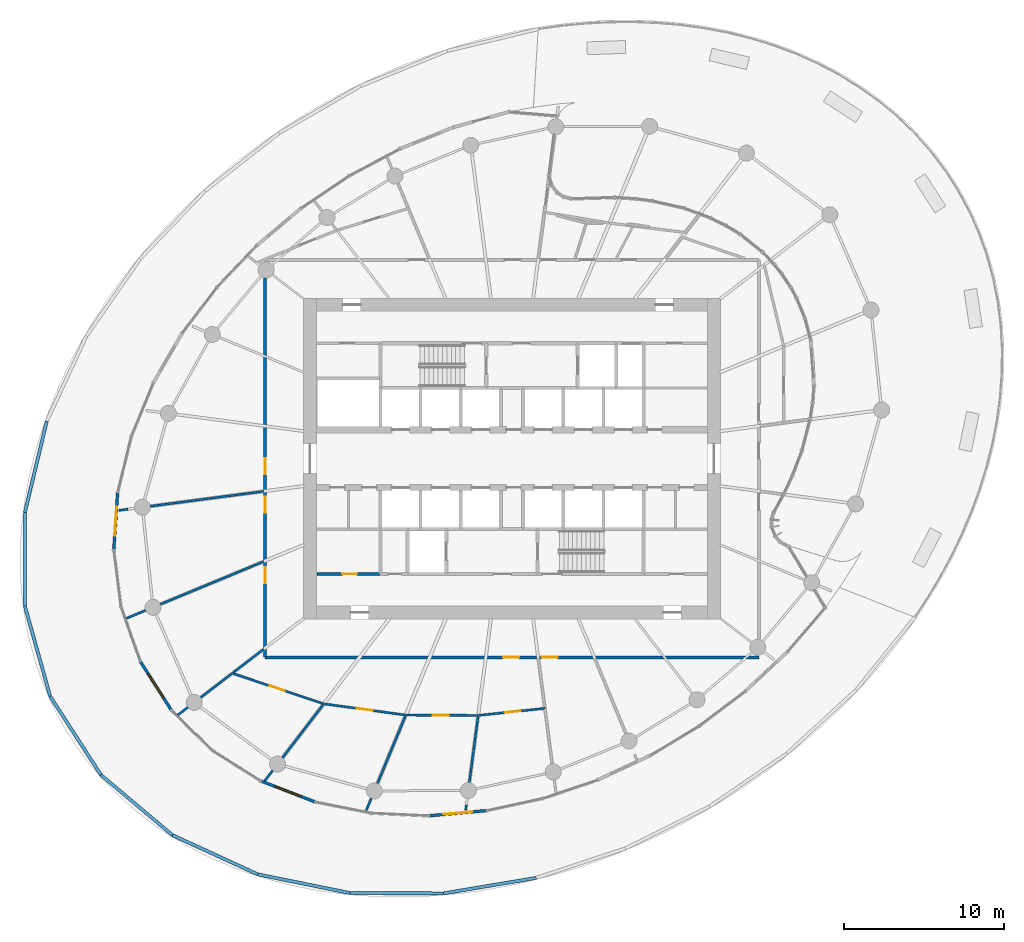
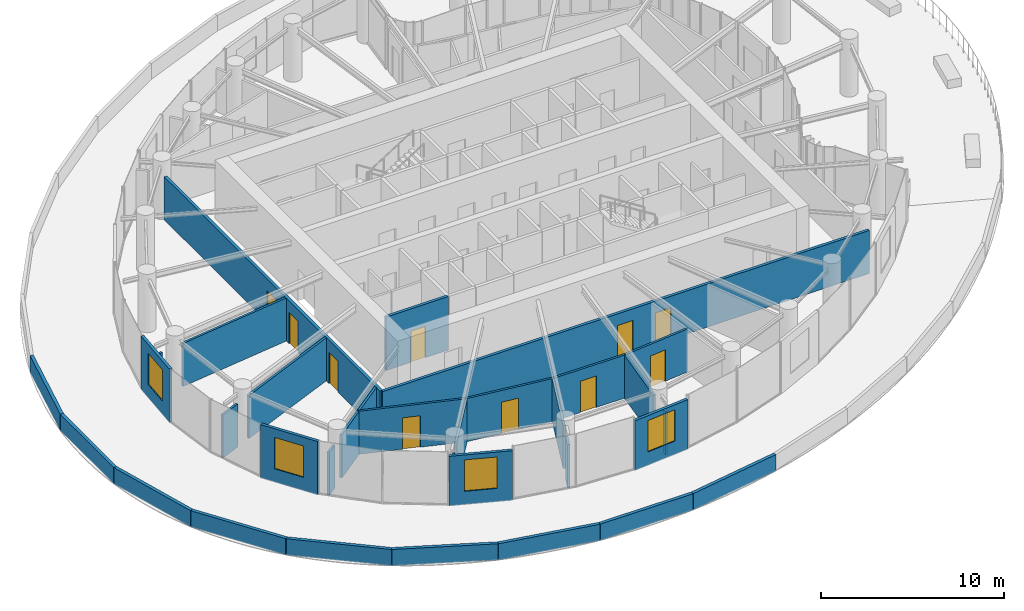
# One storey, part 12 of 21: 33 walls, 10 doors, 4 windows, 14 openings.
"""IFC4 building model written with IfcOpenShell, lengths in metres."""

from ifc_helpers import new_model, si_unit, direction, frame, frame_2d, origin, place, context, subcontext, project, spatial, rectangle, extrude, source, transform, mapped, material, layer, layer_set, type_object, element, fill, save


model = new_model("IFC4")

# Units and contexts
model_context = context("Model", 3, precision=1e-05, world=origin(), true_north=direction((0.0, 1.0)))
body_context = subcontext(model_context, "Body", "Model", "MODEL_VIEW")
ifc_project = project(units=[si_unit("LENGTHUNIT", "METRE"), si_unit("AREAUNIT", "SQUARE_METRE"), si_unit("VOLUMEUNIT", "CUBIC_METRE"), si_unit("PLANEANGLEUNIT", "RADIAN"), si_unit("MASSUNIT", "GRAM", prefix="KILO")], contexts=[model_context])

# Site, building, storey
site_placement = place(None, origin())
site = spatial("IfcSite", under=ifc_project, at=site_placement, CompositionType="ELEMENT")
building_placement = place(site_placement, origin())
building = spatial("IfcBuilding", under=site, at=building_placement, Name="Spindrift Exchange Tower", CompositionType="ELEMENT")
storey_placement = place(building_placement, frame((0.0, 0.0, 133.10009765625)))
storey = spatial("IfcBuildingStorey", under=building, at=storey_placement, Name="L31", CompositionType="ELEMENT", Elevation=133.10009765625)

# Walls
ifc_material_1 = material(Name="Concrete 40 MPa", Category="concrete")
ifc_layer_1 = layer(ifc_material_1, 0.199951171875)
ifc_layer_set_1 = layer_set([ifc_layer_1], Name="LEDGE PARAPET 1100")
wall_type_1 = type_object("IfcWallType", Name="LEDGE PARAPET 1100", PredefinedType="PARAPET", material=ifc_layer_set_1)
wall_1_placement = place(storey_placement, frame((53.514404296875, 21.842041015625, 0.0), z_axis=(0.0, 0.0, 1.0), x_axis=(-0.986249388379, -0.165263861514, 0.0)))
element("IfcWall", 1, at=wall_1_placement, inside=storey, type_object=wall_type_1, Name="L31 Ledge Parapet 6", PredefinedType="PARAPET", context=body_context, shape_type="SweptSolid", body=[
    extrude(rectangle(XDim=5.85888671875, YDim=0.199951171875, at=frame_2d((2.929443359375, 0.0))), origin(), (0.0, 0.0, 1.0), 1.099853515625),
])
wall_2_placement = place(storey_placement, frame((47.736083984375, 20.873779296875, 0.0), z_axis=(0.0, 0.0, 1.0), x_axis=(-0.999991313044, 0.004168193544, 0.0)))
element("IfcWall", 2, at=wall_2_placement, inside=storey, type_object=wall_type_1, Name="L31 Ledge Parapet 7", PredefinedType="PARAPET", context=body_context, shape_type="SweptSolid", body=[
    extrude(rectangle(XDim=5.857177734375, YDim=0.199951171875, at=frame_2d((2.9287109375, 0.0))), origin(), (0.0, 0.0, 1.0), 1.099853515625),
])
wall_3_placement = place(storey_placement, frame((41.87890625, 20.898193359375, 0.0), z_axis=(0.0, 0.0, 1.0), x_axis=(-0.980098141433, 0.198513559134, 0.0)))
element("IfcWall", 3, at=wall_3_placement, inside=storey, type_object=wall_type_1, Name="L31 Ledge Parapet 8", PredefinedType="PARAPET", context=body_context, shape_type="SweptSolid", body=[
    extrude(rectangle(XDim=5.85400390625, YDim=0.199951171875, at=frame_2d((2.927001953125, 0.0))), origin(), (0.0, 0.0, 1.0), 1.099853515625),
])
wall_4_placement = place(storey_placement, frame((36.141357421875, 22.060302734375, 0.0), z_axis=(0.0, 0.0, 1.0), x_axis=(-0.908790633649, 0.417252422631, 0.0)))
element("IfcWall", 4, at=wall_4_placement, inside=storey, type_object=wall_type_1, Name="L31 Ledge Parapet 9", PredefinedType="PARAPET", context=body_context, shape_type="SweptSolid", body=[
    extrude(rectangle(XDim=5.85009765625, YDim=0.199951171875, at=frame_2d((2.925048828125, 0.0))), origin(), (0.0, 0.0, 1.0), 1.099853515625),
])
wall_5_placement = place(storey_placement, frame((30.824951171875, 24.501220703125, 0.0), z_axis=(0.0, 0.0, 1.0), x_axis=(-0.765075819532, 0.643940207136, 0.0)))
element("IfcWall", 5, at=wall_5_placement, inside=storey, type_object=wall_type_1, Name="L31 Ledge Parapet 10", PredefinedType="PARAPET", context=body_context, shape_type="SweptSolid", body=[
    extrude(rectangle(XDim=5.8447265625, YDim=0.199951171875, at=frame_2d((2.92236328125, 0.0))), origin(), (0.0, 0.0, 1.0), 1.099853515625),
])
wall_6_placement = place(storey_placement, frame((26.353271484375, 28.264892578125, 0.0), z_axis=(0.0, 0.0, 1.0), x_axis=(-0.54241238692, 0.840112374933, 0.0)))
element("IfcWall", 6, at=wall_6_placement, inside=storey, type_object=wall_type_1, Name="L31 Ledge Parapet 11", PredefinedType="PARAPET", context=body_context, shape_type="SweptSolid", body=[
    extrude(rectangle(XDim=5.84228515625, YDim=0.199951171875, at=frame_2d((2.921142578125, 0.0))), origin(), (0.0, 0.0, 1.0), 1.099853515625),
])
wall_7_placement = place(storey_placement, frame((23.184326171875, 33.173095703125, 0.0), z_axis=(0.0, 0.0, 1.0), x_axis=(-0.269685704876, 0.962948399752, 0.0)))
element("IfcWall", 7, at=wall_7_placement, inside=storey, type_object=wall_type_1, Name="L31 Ledge Parapet 12", PredefinedType="PARAPET", context=body_context, shape_type="SweptSolid", body=[
    extrude(rectangle(XDim=5.844482421875, YDim=0.199951171875, at=frame_2d((2.92236328125, 0.0))), origin(), (0.0, 0.0, 1.0), 1.099853515625),
])
wall_8_placement = place(storey_placement, frame((21.608154296875, 38.801025390625, 0.0), z_axis=(0.0, 0.0, 1.0), x_axis=(0.000584331467, 0.999999829278, 0.0)))
element("IfcWall", 8, at=wall_8_placement, inside=storey, type_object=wall_type_1, Name="L31 Ledge Parapet 13", PredefinedType="PARAPET", context=body_context, shape_type="SweptSolid", body=[
    extrude(rectangle(XDim=5.849365234375, YDim=0.199951171875, at=frame_2d((2.9248046875, 0.0))), origin(), (0.0, 0.0, 1.0), 1.099853515625),
])
wall_9_placement = place(storey_placement, frame((21.611572265625, 44.650390625, 0.0), z_axis=(0.0, 0.0, 1.0), x_axis=(0.233398191755, 0.972381244207, 0.0)))
element("IfcWall", 9, at=wall_9_placement, inside=storey, type_object=wall_type_1, Name="L31 Ledge Parapet 14", PredefinedType="PARAPET", context=body_context, shape_type="SweptSolid", body=[
    extrude(rectangle(XDim=5.853515625, YDim=0.199951171875, at=frame_2d((2.9267578125, 0.0))), origin(), (0.0, 0.0, 1.0), 1.099853515625),
])

# Wall, opening, window
ifc_material_2 = material(Name="Bronze anodised aluminium frame with fritted laminated glass spandrel", Category="aluminium")
ifc_layer_2 = layer(ifc_material_2, 0.179931640625)
ifc_layer_set_2 = layer_set([ifc_layer_2], Name="UNITISED FRAME WALL")
wall_type_2 = type_object("IfcWallType", Name="UNITISED FRAME WALL", PredefinedType="STANDARD", material=ifc_layer_set_2)
wall_10_placement = place(storey_placement, frame((27.39404296875, 45.85888671875, 0.0), z_axis=(0.0, 0.0, 1.0), x_axis=(-0.067272341836, -0.997734650107, 0.0)))
wall_10 = element("IfcWall", 10, at=wall_10_placement, inside=storey, type_object=wall_type_2, Name="L31 Frame Wall 11", PredefinedType="STANDARD", context=body_context, shape_type="SweptSolid", body=[
    extrude(rectangle(XDim=3.527587890625, YDim=0.179931640625, at=frame_2d((1.763671875, 0.0))), origin(), (0.0, 0.0, 1.0), 3.579833984375),
])
opening_1_placement = place(wall_10_placement, frame((0.86376953125, 0.0, 0.89990234375)))
opening_1 = element("IfcOpeningElement", 11, at=opening_1_placement, cuts=wall_10, Name="Opening WV31-04", PredefinedType="OPENING", context=body_context, shape_type="SweptSolid", body=[
    extrude(rectangle(XDim=1.800048828125, YDim=2.10009765625, at=frame_2d((0.89990234375, 1.050048828125))), frame((0.0, 0.099853515625, 0.0), z_axis=(0.0, -1.0, 0.0), x_axis=(1.0, 0.0, 0.0)), (0.0, 0.0, 1.0), 0.199951171875),
])
ifc_material_3 = material(Name="Clear laminated low-iron glass in bronze frame", Category="glass")
window_type = type_object("IfcWindowType", Name="OPERABLE CLEAR VENT 1800X2100", PartitioningType="SINGLE_PANEL", PredefinedType="WINDOW", material=ifc_material_3)
shared_shape_1 = source(origin(), body_context, "Body", "SweptSolid", [
    extrude(rectangle(XDim=1.800048828125, YDim=2.10009765625, at=frame_2d((0.89990234375, 1.050048828125))), frame((0.0, 0.030029296875, 0.0), z_axis=(0.0, -1.0, 0.0), x_axis=(1.0, 0.0, 0.0)), (0.0, 0.0, 1.0), 0.06005859375),
])
window_1_placement = place(opening_1_placement, origin())
window_1 = element("IfcWindow", 12, at=window_1_placement, inside=storey, type_object=window_type, Name="L31 Operable Vent WV31-04", OverallHeight=2.10009765625, OverallWidth=1.800048828125, PartitioningType="SINGLE_PANEL", PredefinedType="WINDOW", context=body_context, shape_type="MappedRepresentation", body=[
    mapped(shared_shape_1, transform((0.0, 0.0, 0.0), scale=1.0)),
])
fill(opening_1, window_1)

wall_11_placement = place(storey_placement, frame((28.825927734375, 35.318359375, 0.0), z_axis=(0.0, 0.0, 1.0), x_axis=(0.537561032447, -0.843224843321, 0.0)))
wall_11 = element("IfcWall", 13, at=wall_11_placement, inside=storey, type_object=wall_type_2, Name="L31 Frame Wall 14", PredefinedType="STANDARD", context=body_context, shape_type="SweptSolid", body=[
    extrude(rectangle(XDim=3.524658203125, YDim=0.179931640625, at=frame_2d((1.76220703125, 0.0))), origin(), (0.0, 0.0, 1.0), 3.579833984375),
])
opening_2_placement = place(wall_11_placement, frame((0.8623046875, 0.0, 0.89990234375)))
opening_2 = element("IfcOpeningElement", 14, at=opening_2_placement, cuts=wall_11, Name="Opening WV31-05", PredefinedType="OPENING", context=body_context, shape_type="SweptSolid", body=[
    extrude(rectangle(XDim=1.800048828125, YDim=2.10009765625, at=frame_2d((0.89990234375, 1.050048828125))), frame((0.0, 0.099853515625, 0.0), z_axis=(0.0, -1.0, 0.0), x_axis=(1.0, 0.0, 0.0)), (0.0, 0.0, 1.0), 0.199951171875),
])
window_2_placement = place(opening_2_placement, origin())
window_2 = element("IfcWindow", 15, at=window_2_placement, inside=storey, type_object=window_type, Name="L31 Operable Vent WV31-05", OverallHeight=2.10009765625, OverallWidth=1.800048828125, PartitioningType="SINGLE_PANEL", PredefinedType="WINDOW", context=body_context, shape_type="MappedRepresentation", body=[
    mapped(shared_shape_1, transform((0.0, 0.0, 0.0), scale=1.0)),
])
fill(opening_2, window_2)

ifc_layer_3 = layer(ifc_material_2, 0.179931640625)
ifc_layer_set_3 = layer_set([ifc_layer_3], Name="UNITISED FRAME WALL TO BEAM SOFFIT")
wall_type_3 = type_object("IfcWallType", Name="UNITISED FRAME WALL TO BEAM SOFFIT", PredefinedType="STANDARD", material=ifc_layer_set_3)
wall_12_placement = place(storey_placement, frame((36.380615234375, 27.868896484375, 0.0), z_axis=(0.0, 0.0, 1.0), x_axis=(0.932854177958, -0.36025419174, 0.0)))
wall_12 = element("IfcWall", 16, at=wall_12_placement, inside=storey, type_object=wall_type_3, Name="L31 Frame Wall 17", PredefinedType="STANDARD", context=body_context, shape_type="SweptSolid", body=[
    extrude(rectangle(XDim=3.52734375, YDim=0.179931640625, at=frame_2d((1.763671875, 0.0))), origin(), (0.0, 0.0, 1.0), 3.327880859375),
])
opening_3_placement = place(wall_12_placement, frame((0.86376953125, 0.0, 0.89990234375)))
opening_3 = element("IfcOpeningElement", 17, at=opening_3_placement, cuts=wall_12, Name="Opening WV31-06", PredefinedType="OPENING", context=body_context, shape_type="SweptSolid", body=[
    extrude(rectangle(XDim=1.800048828125, YDim=2.10009765625, at=frame_2d((0.89990234375, 1.050048828125))), frame((0.0, 0.099853515625, 0.0), z_axis=(0.0, -1.0, 0.0), x_axis=(1.0, 0.0, 0.0)), (0.0, 0.0, 1.0), 0.199951171875),
])
window_3_placement = place(opening_3_placement, origin())
window_3 = element("IfcWindow", 18, at=window_3_placement, inside=storey, type_object=window_type, Name="L31 Operable Vent WV31-06", OverallHeight=2.10009765625, OverallWidth=1.800048828125, PartitioningType="SINGLE_PANEL", PredefinedType="WINDOW", context=body_context, shape_type="MappedRepresentation", body=[
    mapped(shared_shape_1, transform((0.0, 0.0, 0.0), scale=1.0)),
])
fill(opening_3, window_3)

wall_13_placement = place(storey_placement, frame((46.86328125, 25.718994140625, 0.0), z_axis=(0.0, 0.0, 1.0), x_axis=(0.995987333175, 0.089494313529, 0.0)))
wall_13 = element("IfcWall", 19, at=wall_13_placement, inside=storey, type_object=wall_type_3, Name="L31 Frame Wall 20", PredefinedType="STANDARD", context=body_context, shape_type="SweptSolid", body=[
    extrude(rectangle(XDim=3.530029296875, YDim=0.179931640625, at=frame_2d((1.76513671875, 0.0))), origin(), (0.0, 0.0, 1.0), 3.327880859375),
])
opening_4_placement = place(wall_13_placement, frame((0.864990234375, 0.0, 0.89990234375)))
opening_4 = element("IfcOpeningElement", 20, at=opening_4_placement, cuts=wall_13, Name="Opening WV31-07", PredefinedType="OPENING", context=body_context, shape_type="SweptSolid", body=[
    extrude(rectangle(XDim=1.800048828125, YDim=2.10009765625, at=frame_2d((0.89990234375, 1.050048828125))), frame((0.0, 0.099853515625, 0.0), z_axis=(0.0, -1.0, 0.0), x_axis=(1.0, 0.0, 0.0)), (0.0, 0.0, 1.0), 0.199951171875),
])
window_4_placement = place(opening_4_placement, origin())
window_4 = element("IfcWindow", 21, at=window_4_placement, inside=storey, type_object=window_type, Name="L31 Operable Vent WV31-07", OverallHeight=2.10009765625, OverallWidth=1.800048828125, PartitioningType="SINGLE_PANEL", PredefinedType="WINDOW", context=body_context, shape_type="MappedRepresentation", body=[
    mapped(shared_shape_1, transform((0.0, 0.0, 0.0), scale=1.0)),
])
fill(opening_4, window_4)

# Wall, openings, doors
ifc_material_4 = material(Name="Fire-rated plasterboard partition", Category="gypsum")
ifc_layer_4 = layer(ifc_material_4, 0.179931640625)
ifc_layer_set_4 = layer_set([ifc_layer_4], Name="W-CORR-180")
wall_type_4 = type_object("IfcWallType", Name="W-CORR-180", PredefinedType="PARTITIONING", material=ifc_layer_set_4)
wall_14_placement = place(storey_placement, frame((67.39990234375, 35.60009765625, 0.0), z_axis=(0.0, 0.0, 1.0), x_axis=(-1.0, 0.0, 0.0)))
wall_14 = element("IfcWall", 22, at=wall_14_placement, inside=storey, type_object=wall_type_4, Name="L31 Partition wall 57", PredefinedType="PARTITIONING", context=body_context, shape_type="SweptSolid", body=[
    extrude(rectangle(XDim=30.7998046875, YDim=0.179931640625, at=frame_2d((15.39990234375, 0.0))), origin(), (0.0, 0.0, 1.0), 2.8798828125),
])
opening_5_placement = place(wall_14_placement, frame((14.949951171875, 0.0, 0.0)))
opening_5 = element("IfcOpeningElement", 23, at=opening_5_placement, cuts=wall_14, Name="Opening L31-D42", PredefinedType="OPENING", context=body_context, shape_type="SweptSolid", body=[
    extrude(rectangle(XDim=1.0, YDim=2.10009765625, at=frame_2d((0.5, 1.050048828125))), frame((0.0, 0.099853515625, 0.0), z_axis=(0.0, -1.0, 0.0), x_axis=(1.0, 0.0, 0.0)), (0.0, 0.0, 1.0), 0.199951171875),
])
opening_6_placement = place(wall_14_placement, frame((12.550048828125, 0.0, 0.0)))
opening_6 = element("IfcOpeningElement", 24, at=opening_6_placement, cuts=wall_14, Name="Opening L31-D47", PredefinedType="OPENING", context=body_context, shape_type="SweptSolid", body=[
    extrude(rectangle(XDim=1.0, YDim=2.10009765625, at=frame_2d((0.5, 1.050048828125))), frame((0.0, 0.099853515625, 0.0), z_axis=(0.0, -1.0, 0.0), x_axis=(1.0, 0.0, 0.0)), (0.0, 0.0, 1.0), 0.199951171875),
])
ifc_material_5 = material(Name="Timber-core fire door", Category="wood")
door_type_1 = type_object("IfcDoorType", Name="DR-ROOM-1000", OperationType="NOTDEFINED", PredefinedType="DOOR", material=ifc_material_5)
shared_shape_2 = source(origin(), body_context, "Body", "SweptSolid", [
    extrude(rectangle(XDim=1.0, YDim=2.10009765625, at=frame_2d((0.5, 1.050048828125))), frame((0.0, 0.02490234375, 0.0), z_axis=(0.0, -1.0, 0.0), x_axis=(1.0, 0.0, 0.0)), (0.0, 0.0, 1.0), 0.050048828125),
])
door_1_placement = place(opening_5_placement, origin())
door_1 = element("IfcDoor", 25, at=door_1_placement, inside=storey, type_object=door_type_1, Name="L31 Door 42", OperationType="SINGLE_SWING_LEFT", OverallHeight=2.10009765625, OverallWidth=1.0, PredefinedType="DOOR", context=body_context, shape_type="MappedRepresentation", body=[
    mapped(shared_shape_2, transform((0.0, 0.0, 0.0), scale=1.0)),
])
fill(opening_5, door_1)
door_2_placement = place(opening_6_placement, origin())
door_2 = element("IfcDoor", 26, at=door_2_placement, inside=storey, type_object=door_type_1, Name="L31 Door 47", OperationType="SINGLE_SWING_RIGHT", OverallHeight=2.10009765625, OverallWidth=1.0, PredefinedType="DOOR", context=body_context, shape_type="MappedRepresentation", body=[
    mapped(shared_shape_2, transform((0.0, 0.0, 0.0), scale=1.0)),
])
fill(opening_6, door_2)

wall_15_placement = place(storey_placement, frame((36.60009765625, 35.6298828125, 0.0), z_axis=(0.0, 0.0, 1.0), x_axis=(0.0, 1.0, 0.0)))
wall_15 = element("IfcWall", 27, at=wall_15_placement, inside=storey, type_object=wall_type_4, Name="L31 Partition wall 59", PredefinedType="PARTITIONING", context=body_context, shape_type="SweptSolid", body=[
    extrude(rectangle(XDim=23.6376953125, YDim=0.179931640625, at=frame_2d((11.81884765625, 0.0))), origin(), (0.0, 0.0, 1.0), 2.8798828125),
])
opening_7_placement = place(wall_15_placement, frame((11.387451171875, 0.0, 0.0)))
opening_7 = element("IfcOpeningElement", 28, at=opening_7_placement, cuts=wall_15, Name="Opening L31-D39", PredefinedType="OPENING", context=body_context, shape_type="SweptSolid", body=[
    extrude(rectangle(XDim=1.0, YDim=2.10009765625, at=frame_2d((0.5, 1.050048828125))), frame((0.0, 0.099853515625, 0.0), z_axis=(0.0, -1.0, 0.0), x_axis=(1.0, 0.0, 0.0)), (0.0, 0.0, 1.0), 0.199951171875),
])
opening_8_placement = place(wall_15_placement, frame((8.987548828125, 0.0, 0.0)))
opening_8 = element("IfcOpeningElement", 29, at=opening_8_placement, cuts=wall_15, Name="Opening L31-D40", PredefinedType="OPENING", context=body_context, shape_type="SweptSolid", body=[
    extrude(rectangle(XDim=1.0, YDim=2.10009765625, at=frame_2d((0.5, 1.050048828125))), frame((0.0, 0.099853515625, 0.0), z_axis=(0.0, -1.0, 0.0), x_axis=(1.0, 0.0, 0.0)), (0.0, 0.0, 1.0), 0.199951171875),
])
opening_9_placement = place(wall_15_placement, frame((4.58740234375, 0.0, 0.0)))
opening_9 = element("IfcOpeningElement", 30, at=opening_9_placement, cuts=wall_15, Name="Opening L31-D41", PredefinedType="OPENING", context=body_context, shape_type="SweptSolid", body=[
    extrude(rectangle(XDim=1.0, YDim=2.10009765625, at=frame_2d((0.5, 1.050048828125))), frame((0.0, 0.099853515625, 0.0), z_axis=(0.0, -1.0, 0.0), x_axis=(1.0, 0.0, 0.0)), (0.0, 0.0, 1.0), 0.199951171875),
])
door_3_placement = place(opening_7_placement, origin())
door_3 = element("IfcDoor", 31, at=door_3_placement, inside=storey, type_object=door_type_1, Name="L31 Door 39", OperationType="SINGLE_SWING_RIGHT", OverallHeight=2.10009765625, OverallWidth=1.0, PredefinedType="DOOR", context=body_context, shape_type="MappedRepresentation", body=[
    mapped(shared_shape_2, transform((0.0, 0.0, 0.0), scale=1.0)),
])
fill(opening_7, door_3)
door_4_placement = place(opening_8_placement, origin())
door_4 = element("IfcDoor", 32, at=door_4_placement, inside=storey, type_object=door_type_1, Name="L31 Door 40", OperationType="SINGLE_SWING_LEFT", OverallHeight=2.10009765625, OverallWidth=1.0, PredefinedType="DOOR", context=body_context, shape_type="MappedRepresentation", body=[
    mapped(shared_shape_2, transform((0.0, 0.0, 0.0), scale=1.0)),
])
fill(opening_8, door_4)
door_5_placement = place(opening_9_placement, origin())
door_5 = element("IfcDoor", 33, at=door_5_placement, inside=storey, type_object=door_type_1, Name="L31 Door 41", OperationType="SINGLE_SWING_RIGHT", OverallHeight=2.10009765625, OverallWidth=1.0, PredefinedType="DOOR", context=body_context, shape_type="MappedRepresentation", body=[
    mapped(shared_shape_2, transform((0.0, 0.0, 0.0), scale=1.0)),
])
fill(opening_9, door_5)

# Wall, opening, door
wall_16_placement = place(storey_placement, frame((39.820068359375, 40.800048828125, 0.0), z_axis=(0.0, 0.0, 1.0), x_axis=(1.0, 0.0, 0.0)))
wall_16 = element("IfcWall", 34, at=wall_16_placement, inside=storey, type_object=wall_type_4, Name="L31 Partition wall 63", PredefinedType="PARTITIONING", context=body_context, shape_type="SweptSolid", body=[
    extrude(rectangle(XDim=3.949951171875, YDim=0.179931640625, at=frame_2d((1.97509765625, 0.0))), origin(), (0.0, 0.0, 1.0), 3.579833984375),
])
opening_10_placement = place(wall_16_placement, frame((1.60009765625, 0.0, 0.0)))
opening_10 = element("IfcOpeningElement", 35, at=opening_10_placement, cuts=wall_16, Name="Opening L31-D51", PredefinedType="OPENING", context=body_context, shape_type="SweptSolid", body=[
    extrude(rectangle(XDim=0.89990234375, YDim=2.10009765625, at=frame_2d((0.449951171875, 1.050048828125))), frame((0.0, 0.099853515625, 0.0), z_axis=(0.0, -1.0, 0.0), x_axis=(1.0, 0.0, 0.0)), (0.0, 0.0, 1.0), 0.199951171875),
])
ifc_material_6 = material(Name="Steel access door", Category="steel")
door_type_2 = type_object("IfcDoorType", Name="DR-RISER-900", OperationType="NOTDEFINED", PredefinedType="DOOR", material=ifc_material_6)
shared_shape_3 = source(origin(), body_context, "Body", "SweptSolid", [
    extrude(rectangle(XDim=0.89990234375, YDim=2.10009765625, at=frame_2d((0.449951171875, 1.050048828125))), frame((0.0, 0.02490234375, 0.0), z_axis=(0.0, -1.0, 0.0), x_axis=(1.0, 0.0, 0.0)), (0.0, 0.0, 1.0), 0.050048828125),
])
door_6_placement = place(opening_10_placement, origin())
door_6 = element("IfcDoor", 36, at=door_6_placement, inside=storey, type_object=door_type_2, Name="L31 Riser door 51", OperationType="SINGLE_SWING_RIGHT", OverallHeight=2.10009765625, OverallWidth=0.89990234375, PredefinedType="DOOR", context=body_context, shape_type="MappedRepresentation", body=[
    mapped(shared_shape_3, transform((0.0, 0.0, 0.0), scale=1.0)),
])
fill(opening_10, door_6)

# Walls
ifc_layer_5 = layer(ifc_material_4, 0.139892578125)
ifc_layer_set_5 = layer_set([ifc_layer_5], Name="W-PART-140")
wall_type_5 = type_object("IfcWallType", Name="W-PART-140", PredefinedType="PARTITIONING", material=ifc_layer_set_5)
wall_17_placement = place(storey_placement, frame((36.510009765625, 45.960693359375, 0.0), z_axis=(0.0, 0.0, 1.0), x_axis=(-0.991447420849, -0.130506749601, 0.0)))
element("IfcWall", 37, at=wall_17_placement, inside=storey, type_object=wall_type_5, Name="L31 Partition wall 65", PredefinedType="PARTITIONING", context=body_context, shape_type="SweptSolid", body=[
    extrude(rectangle(XDim=7.133056640625, YDim=0.139892578125, at=frame_2d((3.56640625, 0.0))), origin(), (0.0, 0.0, 1.0), 2.8798828125),
])
wall_18_placement = place(storey_placement, frame((36.510009765625, 41.583740234375, 0.0), z_axis=(0.0, 0.0, 1.0), x_axis=(-0.9238862136, -0.382667302392, 0.0)))
element("IfcWall", 38, at=wall_18_placement, inside=storey, type_object=wall_type_5, Name="L31 Partition wall 66", PredefinedType="PARTITIONING", context=body_context, shape_type="SweptSolid", body=[
    extrude(rectangle(XDim=6.970703125, YDim=0.139892578125, at=frame_2d((3.4853515625, 0.0))), origin(), (0.0, 0.0, 1.0), 2.8798828125),
])

# Wall, opening, door
wall_19_placement = place(storey_placement, frame((40.259765625, 32.69970703125, 0.0), z_axis=(0.0, 0.0, 1.0), x_axis=(-0.94841131313, 0.317042554126, 0.0)))
wall_19 = element("IfcWall", 39, at=wall_19_placement, inside=storey, type_object=wall_type_5, Name="L31 Partition wall 67", PredefinedType="PARTITIONING", context=body_context, shape_type="SweptSolid", body=[
    extrude(rectangle(XDim=6.021728515625, YDim=0.139892578125, at=frame_2d((3.0107421875, 0.0))), origin(), (0.0, 0.0, 1.0), 2.8798828125),
])
opening_11_placement = place(wall_19_placement, frame((2.572021484375, 0.0, 0.0)))
opening_11 = element("IfcOpeningElement", 40, at=opening_11_placement, cuts=wall_19, Name="Opening L31-D43", PredefinedType="OPENING", context=body_context, shape_type="SweptSolid", body=[
    extrude(rectangle(XDim=1.0, YDim=2.10009765625, at=frame_2d((0.5, 1.050048828125))), frame((0.0, 0.079833984375, 0.0), z_axis=(0.0, -1.0, 0.0), x_axis=(1.0, 0.0, 0.0)), (0.0, 0.0, 1.0), 0.159912109375),
])
door_7_placement = place(opening_11_placement, origin())
door_7 = element("IfcDoor", 41, at=door_7_placement, inside=storey, type_object=door_type_1, Name="L31 Door 43", OperationType="SINGLE_SWING_RIGHT", OverallHeight=2.10009765625, OverallWidth=1.0, PredefinedType="DOOR", context=body_context, shape_type="MappedRepresentation", body=[
    mapped(shared_shape_2, transform((0.0, 0.0, 0.0), scale=1.0)),
])
fill(opening_11, door_7)

wall_20_placement = place(storey_placement, frame((45.372314453125, 31.99951171875, 0.0), z_axis=(0.0, 0.0, 1.0), x_axis=(-0.990747746033, 0.135716261849, 0.0)))
wall_20 = element("IfcWall", 42, at=wall_20_placement, inside=storey, type_object=wall_type_5, Name="L31 Partition wall 70", PredefinedType="PARTITIONING", context=body_context, shape_type="SweptSolid", body=[
    extrude(rectangle(XDim=5.13037109375, YDim=0.139892578125, at=frame_2d((2.565185546875, 0.0))), origin(), (0.0, 0.0, 1.0), 2.8798828125),
])
opening_12_placement = place(wall_20_placement, frame((2.080322265625, 0.0, 0.0)))
opening_12 = element("IfcOpeningElement", 43, at=opening_12_placement, cuts=wall_20, Name="Opening L31-D44", PredefinedType="OPENING", context=body_context, shape_type="SweptSolid", body=[
    extrude(rectangle(XDim=1.0, YDim=2.10009765625, at=frame_2d((0.5, 1.050048828125))), frame((0.0, 0.079833984375, 0.0), z_axis=(0.0, -1.0, 0.0), x_axis=(1.0, 0.0, 0.0)), (0.0, 0.0, 1.0), 0.159912109375),
])
door_8_placement = place(opening_12_placement, origin())
door_8 = element("IfcDoor", 44, at=door_8_placement, inside=storey, type_object=door_type_1, Name="L31 Door 44", OperationType="SINGLE_SWING_LEFT", OverallHeight=2.10009765625, OverallWidth=1.0, PredefinedType="DOOR", context=body_context, shape_type="MappedRepresentation", body=[
    mapped(shared_shape_2, transform((0.0, 0.0, 0.0), scale=1.0)),
])
fill(opening_12, door_8)

# Wall
wall_21_placement = place(storey_placement, frame((45.3447265625, 31.9326171875, 0.0), z_axis=(0.0, 0.0, 1.0), x_axis=(-0.382695113469, -0.923874693953, 0.0)))
element("IfcWall", 45, at=wall_21_placement, inside=storey, type_object=wall_type_5, Name="L31 Partition wall 75", PredefinedType="PARTITIONING", context=body_context, shape_type="SweptSolid", body=[
    extrude(rectangle(XDim=4.54296875, YDim=0.139892578125, at=frame_2d((2.271484375, 0.0))), origin(), (0.0, 0.0, 1.0), 2.8798828125),
])

# Wall, opening, door
wall_22_placement = place(storey_placement, frame((49.890625, 31.97802734375, 0.0), z_axis=(0.0, 0.0, 1.0), x_axis=(-0.999988802497, 0.004732322988, 0.0)))
wall_22 = element("IfcWall", 46, at=wall_22_placement, inside=storey, type_object=wall_type_5, Name="L31 Partition wall 76", PredefinedType="PARTITIONING", context=body_context, shape_type="SweptSolid", body=[
    extrude(rectangle(XDim=4.48828125, YDim=0.139892578125, at=frame_2d((2.244140625, 0.0))), origin(), (0.0, 0.0, 1.0), 2.8798828125),
])
opening_13_placement = place(wall_22_placement, frame((1.83837890625, 0.0, 0.0)))
opening_13 = element("IfcOpeningElement", 47, at=opening_13_placement, cuts=wall_22, Name="Opening L31-D45", PredefinedType="OPENING", context=body_context, shape_type="SweptSolid", body=[
    extrude(rectangle(XDim=1.0, YDim=2.10009765625, at=frame_2d((0.5, 1.050048828125))), frame((0.0, 0.079833984375, 0.0), z_axis=(0.0, -1.0, 0.0), x_axis=(1.0, 0.0, 0.0)), (0.0, 0.0, 1.0), 0.159912109375),
])
door_9_placement = place(opening_13_placement, origin())
door_9 = element("IfcDoor", 48, at=door_9_placement, inside=storey, type_object=door_type_1, Name="L31 Door 45", OperationType="SINGLE_SWING_RIGHT", OverallHeight=2.10009765625, OverallWidth=1.0, PredefinedType="DOOR", context=body_context, shape_type="MappedRepresentation", body=[
    mapped(shared_shape_2, transform((0.0, 0.0, 0.0), scale=1.0)),
])
fill(opening_13, door_9)

# Walls
wall_23_placement = place(storey_placement, frame((40.214599609375, 32.64111328125, 0.0), z_axis=(0.0, 0.0, 1.0), x_axis=(-0.608771541946, -0.793345580259, 0.0)))
element("IfcWall", 49, at=wall_23_placement, inside=storey, type_object=wall_type_5, Name="L31 Partition wall 78", PredefinedType="PARTITIONING", context=body_context, shape_type="SweptSolid", body=[
    extrude(rectangle(XDim=4.159912109375, YDim=0.139892578125, at=frame_2d((2.080078125, 0.0))), origin(), (0.0, 0.0, 1.0), 2.8798828125),
])
wall_24_placement = place(storey_placement, frame((49.881591796875, 31.907958984375, 0.0), z_axis=(0.0, 0.0, 1.0), x_axis=(-0.130586952739, -0.991436860206, 0.0)))
element("IfcWall", 50, at=wall_24_placement, inside=storey, type_object=wall_type_5, Name="L31 Partition wall 79", PredefinedType="PARTITIONING", context=body_context, shape_type="SweptSolid", body=[
    extrude(rectangle(XDim=4.148681640625, YDim=0.139892578125, at=frame_2d((2.07421875, 0.0))), origin(), (0.0, 0.0, 1.0), 2.8798828125),
])

# Wall, opening, door
wall_25_placement = place(storey_placement, frame((54.05126953125, 32.41943359375, 0.0), z_axis=(0.0, 0.0, 1.0), x_axis=(-0.994419782511, -0.105495479291, 0.0)))
wall_25 = element("IfcWall", 51, at=wall_25_placement, inside=storey, type_object=wall_type_5, Name="L31 Partition wall 80", PredefinedType="PARTITIONING", context=body_context, shape_type="SweptSolid", body=[
    extrude(rectangle(XDim=4.154052734375, YDim=0.139892578125, at=frame_2d((2.0771484375, 0.0))), origin(), (0.0, 0.0, 1.0), 2.8798828125),
])
opening_14_placement = place(wall_25_placement, frame((1.50390625, 0.0, 0.0)))
opening_14 = element("IfcOpeningElement", 52, at=opening_14_placement, cuts=wall_25, Name="Opening L31-D46", PredefinedType="OPENING", context=body_context, shape_type="SweptSolid", body=[
    extrude(rectangle(XDim=1.0, YDim=2.10009765625, at=frame_2d((0.5, 1.050048828125))), frame((0.0, 0.079833984375, 0.0), z_axis=(0.0, -1.0, 0.0), x_axis=(1.0, 0.0, 0.0)), (0.0, 0.0, 1.0), 0.159912109375),
])
door_10_placement = place(opening_14_placement, origin())
door_10 = element("IfcDoor", 53, at=door_10_placement, inside=storey, type_object=door_type_1, Name="L31 Door 46", OperationType="SINGLE_SWING_LEFT", OverallHeight=2.10009765625, OverallWidth=1.0, PredefinedType="DOOR", context=body_context, shape_type="MappedRepresentation", body=[
    mapped(shared_shape_2, transform((0.0, 0.0, 0.0), scale=1.0)),
])
fill(opening_14, door_10)

# Walls
wall_26_placement = place(storey_placement, frame((36.510009765625, 36.114013671875, 0.0), z_axis=(0.0, 0.0, 1.0), x_axis=(-0.793375926436, -0.608731993041, 0.0)))
element("IfcWall", 54, at=wall_26_placement, inside=storey, type_object=wall_type_5, Name="L31 Partition wall 87", PredefinedType="PARTITIONING", context=body_context, shape_type="SweptSolid", body=[
    extrude(rectangle(XDim=2.387939453125, YDim=0.139892578125, at=frame_2d((1.19384765625, 0.0))), origin(), (0.0, 0.0, 1.0), 2.8798828125),
])
wall_27_placement = place(storey_placement, frame((34.524658203125, 34.5908203125, 0.0), z_axis=(0.0, 0.0, 1.0), x_axis=(-0.793361748198, -0.608750471455, 0.0)))
element("IfcWall", 55, at=wall_27_placement, inside=storey, type_object=wall_type_5, Name="L31 Partition wall 88", PredefinedType="PARTITIONING", context=body_context, shape_type="SweptSolid", body=[
    extrude(rectangle(XDim=2.45849609375, YDim=0.139892578125, at=frame_2d((1.229248046875, 0.0))), origin(), (0.0, 0.0, 1.0), 2.8798828125),
])
wall_28_placement = place(storey_placement, frame((29.13671875, 38.52978515625, 0.0), z_axis=(0.0, 0.0, 1.0), x_axis=(-0.923905062812, -0.382621790952, 0.0)))
element("IfcWall", 56, at=wall_28_placement, inside=storey, type_object=wall_type_5, Name="L31 Partition wall 102", PredefinedType="PARTITIONING", context=body_context, shape_type="SweptSolid", body=[
    extrude(rectangle(XDim=1.3310546875, YDim=0.139892578125, at=frame_2d((0.66552734375, 0.0))), origin(), (0.0, 0.0, 1.0), 2.8798828125),
])
wall_29_placement = place(storey_placement, frame((28.041259765625, 44.845703125, 0.0), z_axis=(0.0, 0.0, 1.0), x_axis=(-0.99145719693, -0.130432460129, 0.0)))
element("IfcWall", 57, at=wall_29_placement, inside=storey, type_object=wall_type_5, Name="L31 Partition wall 103", PredefinedType="PARTITIONING", context=body_context, shape_type="SweptSolid", body=[
    extrude(rectangle(XDim=0.57275390625, YDim=0.139892578125, at=frame_2d((0.286376953125, 0.0))), origin(), (0.0, 0.0, 1.0), 2.8798828125),
])
wall_30_placement = place(storey_placement, frame((43.2197265625, 26.802490234375, 0.0), z_axis=(0.0, 0.0, 1.0), x_axis=(-0.382550591972, -0.923934545615, 0.0)))
element("IfcWall", 58, at=wall_30_placement, inside=storey, type_object=wall_type_5, Name="L31 Partition wall 104", PredefinedType="PARTITIONING", context=body_context, shape_type="SweptSolid", body=[
    extrude(rectangle(XDim=0.83154296875, YDim=0.139892578125, at=frame_2d((0.415771484375, 0.0))), origin(), (0.0, 0.0, 1.0), 2.8798828125),
])
wall_31_placement = place(storey_placement, frame((49.156005859375, 26.39794921875, 0.0), z_axis=(0.0, 0.0, 1.0), x_axis=(-0.130240292618, -0.991482458836, 0.0)))
element("IfcWall", 59, at=wall_31_placement, inside=storey, type_object=wall_type_5, Name="L31 Partition wall 105", PredefinedType="PARTITIONING", context=body_context, shape_type="SweptSolid", body=[
    extrude(rectangle(XDim=0.32421875, YDim=0.139892578125, at=frame_2d((0.162109375, 0.0))), origin(), (0.0, 0.0, 1.0), 2.8798828125),
])
wall_32_placement = place(storey_placement, frame((37.068115234375, 28.540283203125, 0.0), z_axis=(0.0, 0.0, 1.0), x_axis=(-0.608796827704, -0.793326176663, 0.0)))
element("IfcWall", 60, at=wall_32_placement, inside=storey, type_object=wall_type_5, Name="L31 Partition wall 106", PredefinedType="PARTITIONING", context=body_context, shape_type="SweptSolid", body=[
    extrude(rectangle(XDim=0.813720703125, YDim=0.139892578125, at=frame_2d((0.40673828125, 0.0))), origin(), (0.0, 0.0, 1.0), 2.8798828125),
])
wall_33_placement = place(storey_placement, frame((31.77392578125, 32.47998046875, 0.0), z_axis=(0.0, 0.0, 1.0), x_axis=(-0.793361598143, -0.608750667015, 0.0)))
element("IfcWall", 61, at=wall_33_placement, inside=storey, type_object=wall_type_5, Name="L31 Partition wall 111", PredefinedType="PARTITIONING", context=body_context, shape_type="SweptSolid", body=[
    extrude(rectangle(XDim=0.786865234375, YDim=0.139892578125, at=frame_2d((0.3935546875, 0.0))), origin(), (0.0, 0.0, 1.0), 2.8798828125),
])

save(model, "model.ifc")
